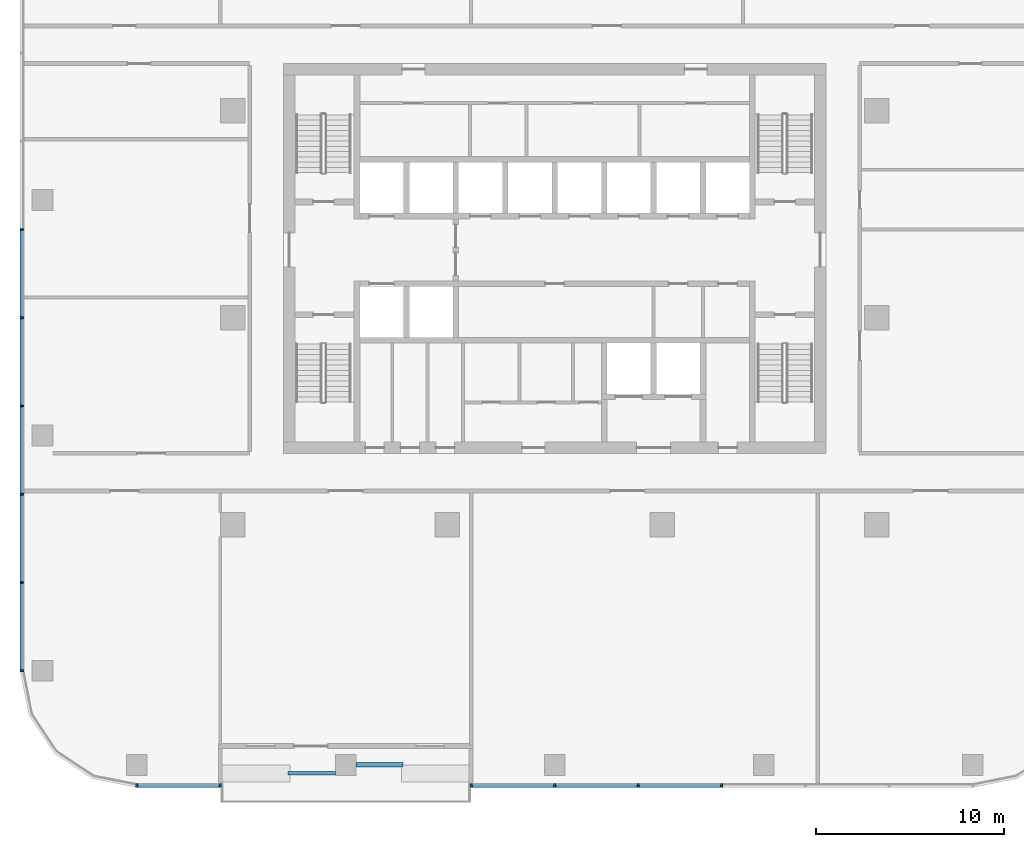
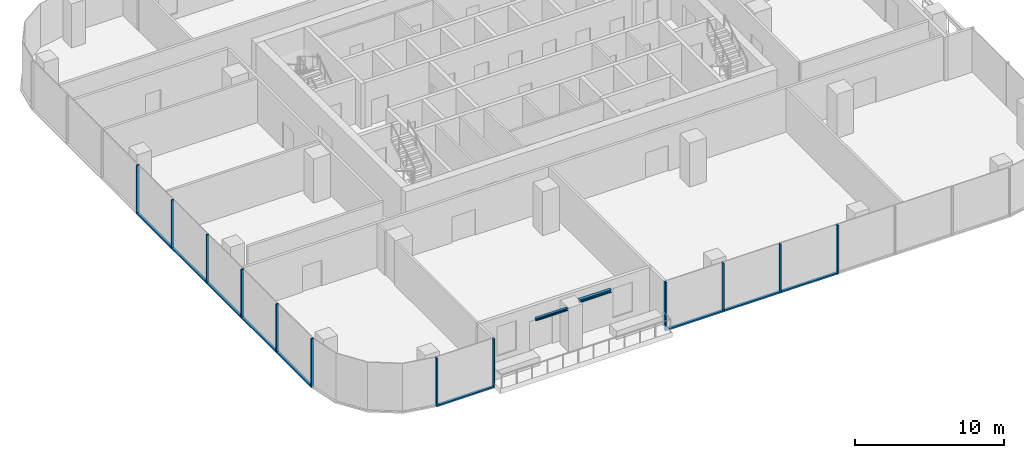
# One storey, part 2 of 14: 21 members, 2 beams, 3 elements without a shape of their own.
"""IFC4 building model written with IfcOpenShell, lengths in metres."""

from ifc_helpers import new_model, si_unit, direction, frame, origin, origin_2d, place, context, subcontext, project, spatial, rectangle, i_section, extrude, material, material_profile, profile_set, type_object, element, aggregate, save


model = new_model("IFC4")

# Units and contexts
model_context = context("Model", 3, precision=1e-05, world=origin(), true_north=direction((0.0, 1.0)))
body_context = subcontext(model_context, "Body", "Model", "MODEL_VIEW")
ifc_project = project(units=[si_unit("LENGTHUNIT", "METRE"), si_unit("AREAUNIT", "SQUARE_METRE"), si_unit("VOLUMEUNIT", "CUBIC_METRE"), si_unit("PLANEANGLEUNIT", "RADIAN"), si_unit("MASSUNIT", "GRAM", prefix="KILO")], contexts=[model_context])

# Site, building, storey
site_placement = place(None, origin())
site = spatial("IfcSite", under=ifc_project, at=site_placement, CompositionType="ELEMENT")
building_placement = place(site_placement, origin())
building = spatial("IfcBuilding", under=site, at=building_placement, Name="Mopane Tessera Tower", CompositionType="ELEMENT")
storey_placement = place(building_placement, frame((0.0, 0.0, 227.0)))
storey = spatial("IfcBuildingStorey", under=building, at=storey_placement, Name="L48", CompositionType="ELEMENT", Elevation=227.0)

# Curtain wall, members
ifc_material_1 = material(Name="Aluminium frame", Category="aluminium")
curtain_wall_type = type_object("IfcCurtainWallType", Name="Unitised curtain wall", PredefinedType="NOTDEFINED", material=ifc_material_1)
curtain_wall_1_placement = place(storey_placement, origin())
curtain_wall_1 = element("IfcCurtainWall", 1, at=curtain_wall_1_placement, inside=storey, type_object=curtain_wall_type, Name="e:cw:L48:S:0", PredefinedType="NOTDEFINED")
ifc_material_2 = material(Name="Aluminium frame", Category="aluminium")
ifc_material_profile_1 = material_profile(ifc_material_2, rectangle(XDim=0.10009765625, YDim=0.199951171875, at=origin_2d()))
ifc_profile_set_1 = profile_set([ifc_material_profile_1], Name="Aluminium frame")
member_type_1 = type_object("IfcMemberType", Name="Aluminium mullion 100 x 200", PredefinedType="MULLION", material=ifc_profile_set_1)
member_1_placement = place(storey_placement, frame((-22.199951171875, -24.85009765625, -0.39990234375), z_axis=(0.0, 0.0, 1.0), x_axis=(1.0, 0.0, 0.0)))
member_1 = element("IfcMember", 2, at=member_1_placement, type_object=member_type_1, Name="e:cw:L48:S:0:mu0", PredefinedType="MULLION", context=body_context, shape_type="SweptSolid", body=[
    extrude(rectangle(XDim=0.10009765625, YDim=0.199951171875, at=origin_2d()), origin(), (0.0, 0.0, 1.0), 4.0),
])
member_2_placement = place(storey_placement, frame((-17.760009765625, -24.85009765625, -0.39990234375), z_axis=(0.0, 0.0, 1.0), x_axis=(1.0, 0.0, 0.0)))
member_2 = element("IfcMember", 3, at=member_2_placement, type_object=member_type_1, Name="e:cw:L48:S:0:mu1", PredefinedType="MULLION", context=body_context, shape_type="SweptSolid", body=[
    extrude(rectangle(XDim=0.10009765625, YDim=0.199951171875, at=origin_2d()), origin(), (0.0, 0.0, 1.0), 4.0),
])

curtain_wall_2_placement = place(storey_placement, origin())
curtain_wall_2 = element("IfcCurtainWall", 4, at=curtain_wall_2_placement, inside=storey, type_object=curtain_wall_type, Name="e:cw:L48:S:4", PredefinedType="NOTDEFINED")
member_3_placement = place(storey_placement, frame((-4.43994140625, -24.85009765625, -0.39990234375), z_axis=(0.0, 0.0, 1.0), x_axis=(1.0, 0.0, 0.0)))
member_3 = element("IfcMember", 5, at=member_3_placement, type_object=member_type_1, Name="e:cw:L48:S:4:mu4", PredefinedType="MULLION", context=body_context, shape_type="SweptSolid", body=[
    extrude(rectangle(XDim=0.10009765625, YDim=0.199951171875, at=origin_2d()), origin(), (0.0, 0.0, 1.0), 4.0),
])
member_4_placement = place(storey_placement, frame((0.0, -24.85009765625, -0.39990234375), z_axis=(0.0, 0.0, 1.0), x_axis=(1.0, 0.0, 0.0)))
member_4 = element("IfcMember", 6, at=member_4_placement, type_object=member_type_1, Name="e:cw:L48:S:4:mu5", PredefinedType="MULLION", context=body_context, shape_type="SweptSolid", body=[
    extrude(rectangle(XDim=0.10009765625, YDim=0.199951171875, at=origin_2d()), origin(), (0.0, 0.0, 1.0), 4.0),
])
member_5_placement = place(storey_placement, frame((4.43994140625, -24.85009765625, -0.39990234375), z_axis=(0.0, 0.0, 1.0), x_axis=(1.0, 0.0, 0.0)))
member_5 = element("IfcMember", 7, at=member_5_placement, type_object=member_type_1, Name="e:cw:L48:S:4:mu6", PredefinedType="MULLION", context=body_context, shape_type="SweptSolid", body=[
    extrude(rectangle(XDim=0.10009765625, YDim=0.199951171875, at=origin_2d()), origin(), (0.0, 0.0, 1.0), 4.0),
])
member_6_placement = place(storey_placement, frame((8.8798828125, -24.85009765625, -0.39990234375), z_axis=(0.0, 0.0, 1.0), x_axis=(1.0, 0.0, 0.0)))
member_6 = element("IfcMember", 8, at=member_6_placement, type_object=member_type_1, Name="e:cw:L48:S:4:mu7", PredefinedType="MULLION", context=body_context, shape_type="SweptSolid", body=[
    extrude(rectangle(XDim=0.10009765625, YDim=0.199951171875, at=origin_2d()), origin(), (0.0, 0.0, 1.0), 4.0),
])

curtain_wall_3_placement = place(storey_placement, origin())
curtain_wall_3 = element("IfcCurtainWall", 9, at=curtain_wall_3_placement, inside=storey, type_object=curtain_wall_type, Name="e:cw:L48:W:0", PredefinedType="NOTDEFINED")
member_7_placement = place(storey_placement, frame((-28.300048828125, 4.6875, -0.39990234375), z_axis=(0.0, 0.0, 1.0), x_axis=(0.0, -1.0, 0.0)))
member_7 = element("IfcMember", 10, at=member_7_placement, type_object=member_type_1, Name="e:cw:L48:W:0:mu3", PredefinedType="MULLION", context=body_context, shape_type="SweptSolid", body=[
    extrude(rectangle(XDim=0.10009765625, YDim=0.199951171875, at=origin_2d()), origin(), (0.0, 0.0, 1.0), 4.0),
])
member_8_placement = place(storey_placement, frame((-28.300048828125, 0.0, -0.39990234375), z_axis=(0.0, 0.0, 1.0), x_axis=(0.0, -1.0, 0.0)))
member_8 = element("IfcMember", 11, at=member_8_placement, type_object=member_type_1, Name="e:cw:L48:W:0:mu4", PredefinedType="MULLION", context=body_context, shape_type="SweptSolid", body=[
    extrude(rectangle(XDim=0.10009765625, YDim=0.199951171875, at=origin_2d()), origin(), (0.0, 0.0, 1.0), 4.0),
])
member_9_placement = place(storey_placement, frame((-28.300048828125, -4.6875, -0.39990234375), z_axis=(0.0, 0.0, 1.0), x_axis=(0.0, -1.0, 0.0)))
member_9 = element("IfcMember", 12, at=member_9_placement, type_object=member_type_1, Name="e:cw:L48:W:0:mu5", PredefinedType="MULLION", context=body_context, shape_type="SweptSolid", body=[
    extrude(rectangle(XDim=0.10009765625, YDim=0.199951171875, at=origin_2d()), origin(), (0.0, 0.0, 1.0), 4.0),
])
member_10_placement = place(storey_placement, frame((-28.300048828125, -9.375, -0.39990234375), z_axis=(0.0, 0.0, 1.0), x_axis=(0.0, -1.0, 0.0)))
member_10 = element("IfcMember", 13, at=member_10_placement, type_object=member_type_1, Name="e:cw:L48:W:0:mu6", PredefinedType="MULLION", context=body_context, shape_type="SweptSolid", body=[
    extrude(rectangle(XDim=0.10009765625, YDim=0.199951171875, at=origin_2d()), origin(), (0.0, 0.0, 1.0), 4.0),
])
member_11_placement = place(storey_placement, frame((-28.300048828125, -14.0625, -0.39990234375), z_axis=(0.0, 0.0, 1.0), x_axis=(0.0, -1.0, 0.0)))
member_11 = element("IfcMember", 14, at=member_11_placement, type_object=member_type_1, Name="e:cw:L48:W:0:mu7", PredefinedType="MULLION", context=body_context, shape_type="SweptSolid", body=[
    extrude(rectangle(XDim=0.10009765625, YDim=0.199951171875, at=origin_2d()), origin(), (0.0, 0.0, 1.0), 4.0),
])
member_12_placement = place(storey_placement, frame((-28.300048828125, -18.75, -0.39990234375), z_axis=(0.0, 0.0, 1.0), x_axis=(0.0, -1.0, 0.0)))
member_12 = element("IfcMember", 15, at=member_12_placement, type_object=member_type_1, Name="e:cw:L48:W:0:mu8", PredefinedType="MULLION", context=body_context, shape_type="SweptSolid", body=[
    extrude(rectangle(XDim=0.10009765625, YDim=0.199951171875, at=origin_2d()), origin(), (0.0, 0.0, 1.0), 4.0),
])

# Member
ifc_material_3 = material(Name="Aluminium frame", Category="aluminium")
ifc_material_profile_2 = material_profile(ifc_material_3, rectangle(XDim=0.199951171875, YDim=0.1201171875, at=origin_2d()))
ifc_profile_set_2 = profile_set([ifc_material_profile_2], Name="Aluminium frame")
member_type_2 = type_object("IfcMemberType", Name="Aluminium transom 200 x 120", PredefinedType="USERDEFINED", material=ifc_profile_set_2)
member_13_placement = place(storey_placement, frame((-22.14990234375, -24.85009765625, -0.340087890625), z_axis=(1.0, 0.0, 0.0), x_axis=(0.0, 1.0, 0.0)))
member_13 = element("IfcMember", 16, at=member_13_placement, type_object=member_type_2, Name="e:cw:L48:S:0:tr0", ObjectType="TRANSOM", PredefinedType="USERDEFINED", context=body_context, shape_type="SweptSolid", body=[
    extrude(rectangle(XDim=0.199951171875, YDim=0.1201171875, at=origin_2d()), origin(), (0.0, 0.0, 1.0), 4.33984375),
])

aggregate(curtain_wall_1, [member_1, member_2, member_13])

member_14_placement = place(storey_placement, frame((-4.389892578125, -24.85009765625, -0.340087890625), z_axis=(1.0, 0.0, 0.0), x_axis=(0.0, 1.0, 0.0)))
member_14 = element("IfcMember", 17, at=member_14_placement, type_object=member_type_2, Name="e:cw:L48:S:4:tr4", ObjectType="TRANSOM", PredefinedType="USERDEFINED", context=body_context, shape_type="SweptSolid", body=[
    extrude(rectangle(XDim=0.199951171875, YDim=0.1201171875, at=origin_2d()), origin(), (0.0, 0.0, 1.0), 4.33984375),
])

member_15_placement = place(storey_placement, frame((0.050048828125, -24.85009765625, -0.340087890625), z_axis=(1.0, 0.0, 0.0), x_axis=(0.0, 1.0, 0.0)))
member_15 = element("IfcMember", 18, at=member_15_placement, type_object=member_type_2, Name="e:cw:L48:S:4:tr5", ObjectType="TRANSOM", PredefinedType="USERDEFINED", context=body_context, shape_type="SweptSolid", body=[
    extrude(rectangle(XDim=0.199951171875, YDim=0.1201171875, at=origin_2d()), origin(), (0.0, 0.0, 1.0), 4.33984375),
])

member_16_placement = place(storey_placement, frame((4.489990234375, -24.85009765625, -0.340087890625), z_axis=(1.0, 0.0, 0.0), x_axis=(0.0, 1.0, 0.0)))
member_16 = element("IfcMember", 19, at=member_16_placement, type_object=member_type_2, Name="e:cw:L48:S:4:tr6", ObjectType="TRANSOM", PredefinedType="USERDEFINED", context=body_context, shape_type="SweptSolid", body=[
    extrude(rectangle(XDim=0.199951171875, YDim=0.1201171875, at=origin_2d()), origin(), (0.0, 0.0, 1.0), 4.340087890625),
])

aggregate(curtain_wall_2, [member_3, member_4, member_5, member_6, member_14, member_15, member_16])

member_17_placement = place(storey_placement, frame((-28.300048828125, 4.637451171875, -0.340087890625), z_axis=(0.0, -1.0, 0.0), x_axis=(1.0, 0.0, 0.0)))
member_17 = element("IfcMember", 20, at=member_17_placement, type_object=member_type_2, Name="e:cw:L48:W:0:tr3", ObjectType="TRANSOM", PredefinedType="USERDEFINED", context=body_context, shape_type="SweptSolid", body=[
    extrude(rectangle(XDim=0.199951171875, YDim=0.1201171875, at=origin_2d()), origin(), (0.0, 0.0, 1.0), 4.58740234375),
])

member_18_placement = place(storey_placement, frame((-28.300048828125, -0.050048828125, -0.340087890625), z_axis=(0.0, -1.0, 0.0), x_axis=(1.0, 0.0, 0.0)))
member_18 = element("IfcMember", 21, at=member_18_placement, type_object=member_type_2, Name="e:cw:L48:W:0:tr4", ObjectType="TRANSOM", PredefinedType="USERDEFINED", context=body_context, shape_type="SweptSolid", body=[
    extrude(rectangle(XDim=0.199951171875, YDim=0.1201171875, at=origin_2d()), origin(), (0.0, 0.0, 1.0), 4.58740234375),
])

member_19_placement = place(storey_placement, frame((-28.300048828125, -4.737548828125, -0.340087890625), z_axis=(0.0, -1.0, 0.0), x_axis=(1.0, 0.0, 0.0)))
member_19 = element("IfcMember", 22, at=member_19_placement, type_object=member_type_2, Name="e:cw:L48:W:0:tr5", ObjectType="TRANSOM", PredefinedType="USERDEFINED", context=body_context, shape_type="SweptSolid", body=[
    extrude(rectangle(XDim=0.199951171875, YDim=0.1201171875, at=origin_2d()), origin(), (0.0, 0.0, 1.0), 4.58740234375),
])

member_20_placement = place(storey_placement, frame((-28.300048828125, -9.425048828125, -0.340087890625), z_axis=(0.0, -1.0, 0.0), x_axis=(1.0, 0.0, 0.0)))
member_20 = element("IfcMember", 23, at=member_20_placement, type_object=member_type_2, Name="e:cw:L48:W:0:tr6", ObjectType="TRANSOM", PredefinedType="USERDEFINED", context=body_context, shape_type="SweptSolid", body=[
    extrude(rectangle(XDim=0.199951171875, YDim=0.1201171875, at=origin_2d()), origin(), (0.0, 0.0, 1.0), 4.58740234375),
])

member_21_placement = place(storey_placement, frame((-28.300048828125, -14.112548828125, -0.340087890625), z_axis=(0.0, -1.0, 0.0), x_axis=(1.0, 0.0, 0.0)))
member_21 = element("IfcMember", 24, at=member_21_placement, type_object=member_type_2, Name="e:cw:L48:W:0:tr7", ObjectType="TRANSOM", PredefinedType="USERDEFINED", context=body_context, shape_type="SweptSolid", body=[
    extrude(rectangle(XDim=0.199951171875, YDim=0.1201171875, at=origin_2d()), origin(), (0.0, 0.0, 1.0), 4.58740234375),
])

aggregate(curtain_wall_3, [member_7, member_8, member_9, member_10, member_11, member_12, member_17, member_18, member_19, member_20, member_21])

# Beams
ifc_material_4 = material(Name="Structural steel S460", Category="steel")
ifc_material_profile_3 = material_profile(ifc_material_4, i_section(OverallWidth=0.239990234375, OverallDepth=0.239990234375, WebThickness=0.010009765625, FlangeThickness=0.01708984375, FilletRadius=0.02099609375, at=origin_2d()))
ifc_profile_set_3 = profile_set([ifc_material_profile_3], Name="Structural steel S460")
beam_type_1 = type_object("IfcBeamType", Name="Terrace spandrel beam HE 240 B", PredefinedType="SPANDREL", material=ifc_profile_set_3)
beam_1_placement = place(storey_placement, frame((-10.547119140625, -23.75, 3.47998046875), z_axis=(1.0, 0.0, 0.0), x_axis=(0.0, 1.0, 0.0)))
element("IfcBeam", 25, at=beam_1_placement, inside=storey, type_object=beam_type_1, Name="Terrace spandrel beam N1 L49", PredefinedType="SPANDREL", context=body_context, shape_type="SweptSolid", body=[
    extrude(i_section(OverallWidth=0.239990234375, OverallDepth=0.239990234375, WebThickness=0.010009765625, FlangeThickness=0.01708984375, FilletRadius=0.02099609375, at=origin_2d()), origin(), (0.0, 0.0, 1.0), 2.5),
])
ifc_material_5 = material(Name="Structural steel S460", Category="steel")
ifc_material_profile_4 = material_profile(ifc_material_5, i_section(OverallWidth=0.199951171875, OverallDepth=0.199951171875, WebThickness=0.009033203125, FlangeThickness=0.014892578125, FilletRadius=0.01806640625, at=origin_2d()))
ifc_profile_set_4 = profile_set([ifc_material_profile_4], Name="Structural steel S460")
beam_type_2 = type_object("IfcBeamType", Name="Terrace trimmer beam HE 200 B", PredefinedType="BEAM", material=ifc_profile_set_4)
beam_2_placement = place(storey_placement, frame((-11.653076171875, -24.18994140625, 3.5), z_axis=(-1.0, 0.0, 0.0), x_axis=(0.0, -1.0, 0.0)))
element("IfcBeam", 26, at=beam_2_placement, inside=storey, type_object=beam_type_2, Name="Terrace trimmer beam N1 L49", PredefinedType="BEAM", context=body_context, shape_type="SweptSolid", body=[
    extrude(i_section(OverallWidth=0.199951171875, OverallDepth=0.199951171875, WebThickness=0.009033203125, FlangeThickness=0.014892578125, FilletRadius=0.01806640625, at=origin_2d()), origin(), (0.0, 0.0, 1.0), 2.5),
])

save(model, "model.ifc")
